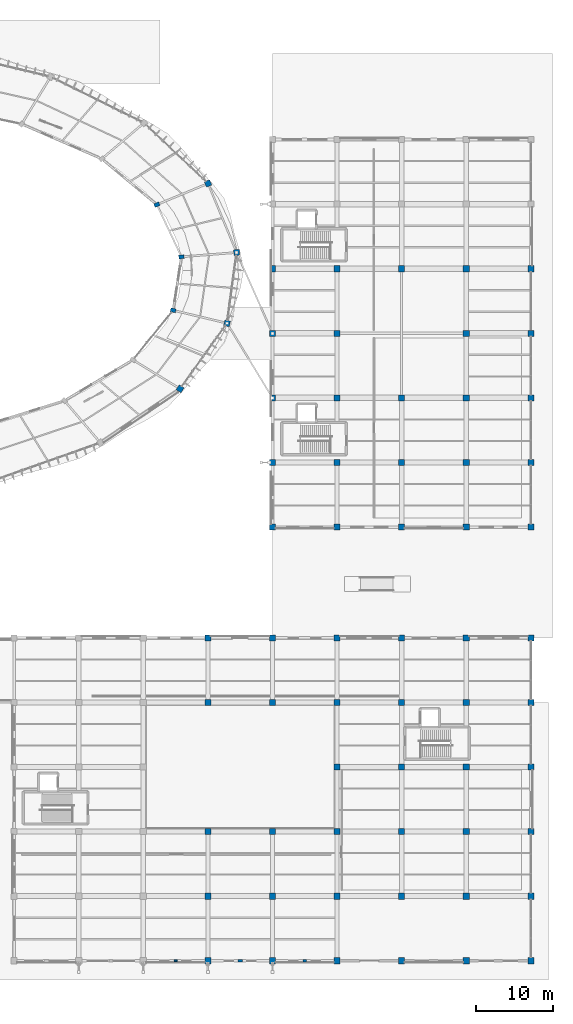
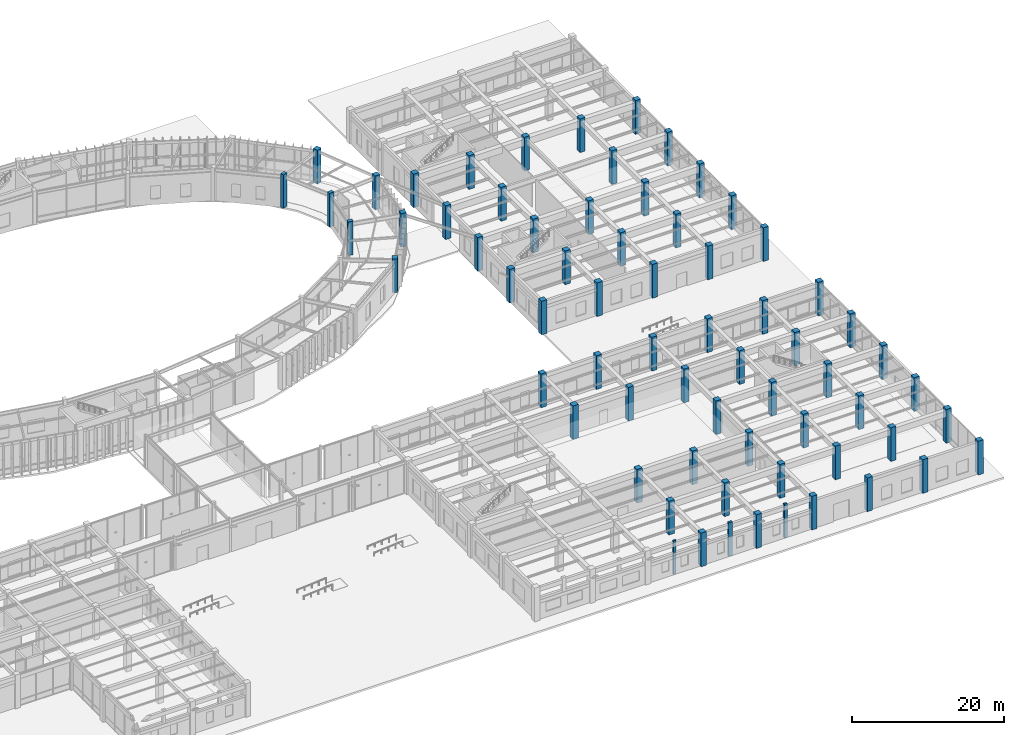
# One storey, part 6 of 157: 68 columns.
"""IFC4 building model written with IfcOpenShell, lengths in metres."""

from ifc_helpers import new_model, si_unit, direction, frame, origin, origin_2d, place, context, subcontext, project, spatial, rectangle, extrude, material, material_profile, profile_set, type_object, element, save


model = new_model("IFC4")

# Units and contexts
model_context = context("Model", 3, precision=1e-05, world=origin(), true_north=direction((0.0, 1.0)))
body_context = subcontext(model_context, "Body", "Model", "MODEL_VIEW")
ifc_project = project(units=[si_unit("LENGTHUNIT", "METRE"), si_unit("AREAUNIT", "SQUARE_METRE"), si_unit("VOLUMEUNIT", "CUBIC_METRE"), si_unit("PLANEANGLEUNIT", "RADIAN"), si_unit("MASSUNIT", "GRAM", prefix="KILO"), si_unit("THERMODYNAMICTEMPERATUREUNIT", "KELVIN"), si_unit("POWERUNIT", "WATT")], contexts=[model_context])

# Site, building, storey
site_placement = place(None, origin())
site = spatial("IfcSite", under=ifc_project, at=site_placement, CompositionType="ELEMENT")
building_placement = place(site_placement, origin())
building = spatial("IfcBuilding", under=site, at=building_placement, Name="Darbajah Civic Hall", CompositionType="ELEMENT")
storey_placement = place(building_placement, origin())
storey = spatial("IfcBuildingStorey", under=building, at=storey_placement, Name="L00", CompositionType="ELEMENT", Elevation=0.0)

# Columns
ifc_material_1 = material(Name="Concrete C45/55", Category="concrete")
ifc_material_profile_1 = material_profile(ifc_material_1, rectangle(XDim=0.39990234375, YDim=0.25, at=origin_2d()), Name="PILASTER 400x250")
ifc_profile_set_1 = profile_set([ifc_material_profile_1], Name="Concrete C45/55")
column_type_1 = type_object("IfcColumnType", Name="PILASTER 400x250", PredefinedType="PILASTER", material=ifc_profile_set_1)
column_1_placement = place(storey_placement, frame((132.0, 0.0, 0.0), z_axis=(0.0, 0.0, 1.0), x_axis=(1.0, 0.0, 0.0)))
element("IfcColumn", 1, at=column_1_placement, inside=storey, type_object=column_type_1, Name="L00 column PL-400", PredefinedType="PILASTER", context=body_context, shape_type="SweptSolid", body=[
    extrude(rectangle(XDim=0.39990234375, YDim=0.25, at=origin_2d()), origin(), (0.0, 0.0, 1.0), 5.39990234375),
])
ifc_material_profile_2 = material_profile(ifc_material_1, rectangle(XDim=0.449951171875, YDim=0.300048828125, at=origin_2d()), Name="PILASTER 450x300")
ifc_profile_set_2 = profile_set([ifc_material_profile_2], Name="Concrete C45/55")
column_type_2 = type_object("IfcColumnType", Name="PILASTER 450x300", PredefinedType="PILASTER", material=ifc_profile_set_2)
column_2_placement = place(storey_placement, frame((148.800048828125, 0.0, 0.0), z_axis=(0.0, 0.0, 1.0), x_axis=(1.0, 0.0, 0.0)))
element("IfcColumn", 2, at=column_2_placement, inside=storey, type_object=column_type_2, Name="L00 column PL-450", PredefinedType="PILASTER", context=body_context, shape_type="SweptSolid", body=[
    extrude(rectangle(XDim=0.449951171875, YDim=0.300048828125, at=origin_2d()), origin(), (0.0, 0.0, 1.0), 5.39990234375),
])
ifc_material_profile_3 = material_profile(ifc_material_1, rectangle(XDim=0.550048828125, YDim=0.35009765625, at=origin_2d()), Name="PILASTER 550x350")
ifc_profile_set_3 = profile_set([ifc_material_profile_3], Name="Concrete C45/55")
column_type_3 = type_object("IfcColumnType", Name="PILASTER 550x350", PredefinedType="PILASTER", material=ifc_profile_set_3)
column_3_placement = place(storey_placement, frame((140.39990234375, 0.0, 0.0), z_axis=(0.0, 0.0, 1.0), x_axis=(1.0, 0.0, 0.0)))
element("IfcColumn", 3, at=column_3_placement, inside=storey, type_object=column_type_3, Name="L00 column PL-550", PredefinedType="PILASTER", context=body_context, shape_type="SweptSolid", body=[
    extrude(rectangle(XDim=0.550048828125, YDim=0.35009765625, at=origin_2d()), origin(), (0.0, 0.0, 1.0), 5.39990234375),
])
ifc_material_profile_4 = material_profile(ifc_material_1, rectangle(XDim=0.699951171875, YDim=0.5, at=origin_2d()), Name="RC COL 700x500")
ifc_profile_set_4 = profile_set([ifc_material_profile_4], Name="Concrete C45/55")
column_type_4 = type_object("IfcColumnType", Name="RC COL 700x500", PredefinedType="COLUMN", material=ifc_profile_set_4)
for number, where, z_axis, x_axis, name in (
    (4, (132.764892578125, 91.549560546875, 0.0), (0.0, 0.0, 1.0), (0.996917333733, 0.078459095728, 0.0), "L00 column C-RC705"),
    (5, (129.56591796875, 98.333740234375, 0.0), (0.0, 0.0, 1.0), (0.923879532511, 0.382683432365, 0.0), "L00 column C-RC705"),
    (6, (131.689697265625, 84.59423828125, 0.0), (0.0, 0.0, 1.0), (0.972369920398, -0.233445363856, 0.0), "L00 column C-RC705"),
):
    element("IfcColumn", number, at=place(storey_placement, frame(where, z_axis=z_axis, x_axis=x_axis)), inside=storey, type_object=column_type_4, Name=name, PredefinedType="COLUMN", context=body_context, shape_type="SweptSolid", body=[
        extrude(rectangle(XDim=0.699951171875, YDim=0.5, at=origin_2d()), origin(), (0.0, 0.0, 1.0), 5.39990234375),
    ])
ifc_material_2 = material(Name="Concrete C50/60", Category="concrete")
ifc_material_profile_5 = material_profile(ifc_material_2, rectangle(XDim=0.75, YDim=0.75, at=origin_2d()), Name="RC COL 750x750")
ifc_profile_set_5 = profile_set([ifc_material_profile_5], Name="Concrete C50/60")
column_type_5 = type_object("IfcColumnType", Name="RC COL 750x750", PredefinedType="COLUMN", material=ifc_profile_set_5)
for number, where, z_axis, x_axis, name in (
    (7, (139.94287109375, 92.114501953125, 0.0), (0.0, 0.0, 1.0), (0.996917333733, 0.078459095728, 0.0), "L00 column C-RC750"),
    (8, (136.218017578125, 101.089111328125, 0.0), (0.0, 0.0, 1.0), (0.923879532511, 0.382683432365, 0.0), "L00 column C-RC750"),
    (9, (132.584716796875, 74.38623046875, 0.0), (0.0, 0.0, 1.0), (0.852640164354, -0.522498564716, 0.0), "L00 column C-RC750"),
    (10, (138.69091796875, 82.913330078125, 0.0), (0.0, 0.0, 1.0), (0.972369920398, -0.233445363856, 0.0), "L00 column C-RC750"),
):
    element("IfcColumn", number, at=place(storey_placement, frame(where, z_axis=z_axis, x_axis=x_axis)), inside=storey, type_object=column_type_5, Name=name, PredefinedType="COLUMN", context=body_context, shape_type="SweptSolid", body=[
        extrude(rectangle(XDim=0.75, YDim=0.75, at=origin_2d()), origin(), (0.0, 0.0, 1.0), 5.39990234375),
    ])
ifc_material_profile_6 = material_profile(ifc_material_2, rectangle(XDim=0.800048828125, YDim=0.800048828125, at=origin_2d()), Name="RC COL 800x800")
ifc_profile_set_6 = profile_set([ifc_material_profile_6], Name="Concrete C50/60")
column_type_6 = type_object("IfcColumnType", Name="RC COL 800x800", PredefinedType="COLUMN", material=ifc_profile_set_6)
for number, where, z_axis, x_axis, name in (
    (11, (136.199951171875, 0.0, 0.0), (0.0, 0.0, 1.0), (1.0, 0.0, 0.0), "L00 column C-RC800"),
    (12, (136.199951171875, 8.39990234375, 0.0), (0.0, 0.0, 1.0), (1.0, 0.0, 0.0), "L00 column C-RC800"),
    (13, (136.199951171875, 16.800048828125, 0.0), (0.0, 0.0, 1.0), (1.0, 0.0, 0.0), "L00 column C-RC800"),
    (14, (136.199951171875, 33.60009765625, 0.0), (0.0, 0.0, 1.0), (1.0, 0.0, 0.0), "L00 column C-RC800"),
    (15, (136.199951171875, 42.0, 0.0), (0.0, 0.0, 1.0), (1.0, 0.0, 0.0), "L00 column C-RC800"),
    (16, (144.60009765625, 0.0, 0.0), (0.0, 0.0, 1.0), (1.0, 0.0, 0.0), "L00 column C-RC800"),
    (17, (144.60009765625, 8.39990234375, 0.0), (0.0, 0.0, 1.0), (1.0, 0.0, 0.0), "L00 column C-RC800"),
    (18, (144.60009765625, 16.800048828125, 0.0), (0.0, 0.0, 1.0), (1.0, 0.0, 0.0), "L00 column C-RC800"),
    (19, (144.60009765625, 33.60009765625, 0.0), (0.0, 0.0, 1.0), (1.0, 0.0, 0.0), "L00 column C-RC800"),
    (20, (144.60009765625, 42.0, 0.0), (0.0, 0.0, 1.0), (1.0, 0.0, 0.0), "L00 column C-RC800"),
    (21, (153.0, 0.0, 0.0), (0.0, 0.0, 1.0), (1.0, 0.0, 0.0), "L00 column C-RC800"),
    (22, (153.0, 8.39990234375, 0.0), (0.0, 0.0, 1.0), (1.0, 0.0, 0.0), "L00 column C-RC800"),
    (23, (153.0, 16.800048828125, 0.0), (0.0, 0.0, 1.0), (1.0, 0.0, 0.0), "L00 column C-RC800"),
    (24, (153.0, 25.199951171875, 0.0), (0.0, 0.0, 1.0), (1.0, 0.0, 0.0), "L00 column C-RC800"),
    (25, (153.0, 33.60009765625, 0.0), (0.0, 0.0, 1.0), (1.0, 0.0, 0.0), "L00 column C-RC800"),
    (26, (153.0, 42.0, 0.0), (0.0, 0.0, 1.0), (1.0, 0.0, 0.0), "L00 column C-RC800"),
    (27, (161.39990234375, 0.0, 0.0), (0.0, 0.0, 1.0), (1.0, 0.0, 0.0), "L00 column C-RC800"),
    (28, (161.39990234375, 8.39990234375, 0.0), (0.0, 0.0, 1.0), (1.0, 0.0, 0.0), "L00 column C-RC800"),
    (29, (161.39990234375, 16.800048828125, 0.0), (0.0, 0.0, 1.0), (1.0, 0.0, 0.0), "L00 column C-RC800"),
    (30, (161.39990234375, 25.199951171875, 0.0), (0.0, 0.0, 1.0), (1.0, 0.0, 0.0), "L00 column C-RC800"),
    (31, (161.39990234375, 33.60009765625, 0.0), (0.0, 0.0, 1.0), (1.0, 0.0, 0.0), "L00 column C-RC800"),
    (32, (161.39990234375, 42.0, 0.0), (0.0, 0.0, 1.0), (1.0, 0.0, 0.0), "L00 column C-RC800"),
    (33, (169.800048828125, 0.0, 0.0), (0.0, 0.0, 1.0), (1.0, 0.0, 0.0), "L00 column C-RC800"),
    (34, (169.800048828125, 8.39990234375, 0.0), (0.0, 0.0, 1.0), (1.0, 0.0, 0.0), "L00 column C-RC800"),
    (35, (169.800048828125, 16.800048828125, 0.0), (0.0, 0.0, 1.0), (1.0, 0.0, 0.0), "L00 column C-RC800"),
    (36, (169.800048828125, 25.199951171875, 0.0), (0.0, 0.0, 1.0), (1.0, 0.0, 0.0), "L00 column C-RC800"),
    (37, (169.800048828125, 33.60009765625, 0.0), (0.0, 0.0, 1.0), (1.0, 0.0, 0.0), "L00 column C-RC800"),
    (38, (169.800048828125, 42.0, 0.0), (0.0, 0.0, 1.0), (1.0, 0.0, 0.0), "L00 column C-RC800"),
    (39, (178.199951171875, 0.0, 0.0), (0.0, 0.0, 1.0), (1.0, 0.0, 0.0), "L00 column C-RC800"),
    (40, (178.199951171875, 8.39990234375, 0.0), (0.0, 0.0, 1.0), (1.0, 0.0, 0.0), "L00 column C-RC800"),
    (41, (178.199951171875, 16.800048828125, 0.0), (0.0, 0.0, 1.0), (1.0, 0.0, 0.0), "L00 column C-RC800"),
    (42, (178.199951171875, 25.199951171875, 0.0), (0.0, 0.0, 1.0), (1.0, 0.0, 0.0), "L00 column C-RC800"),
    (43, (178.199951171875, 33.60009765625, 0.0), (0.0, 0.0, 1.0), (1.0, 0.0, 0.0), "L00 column C-RC800"),
    (44, (178.199951171875, 42.0, 0.0), (0.0, 0.0, 1.0), (1.0, 0.0, 0.0), "L00 column C-RC800"),
    (45, (144.60009765625, 56.39990234375, 0.0), (0.0, 0.0, 1.0), (1.0, 0.0, 0.0), "L00 column C-RC800"),
    (46, (144.60009765625, 64.800048828125, 0.0), (0.0, 0.0, 1.0), (1.0, 0.0, 0.0), "L00 column C-RC800"),
    (47, (144.60009765625, 73.199951171875, 0.0), (0.0, 0.0, 1.0), (1.0, 0.0, 0.0), "L00 column C-RC800"),
    (48, (144.60009765625, 81.60009765625, 0.0), (0.0, 0.0, 1.0), (1.0, 0.0, 0.0), "L00 column C-RC800"),
    (49, (144.60009765625, 90.0, 0.0), (0.0, 0.0, 1.0), (1.0, 0.0, 0.0), "L00 column C-RC800"),
    (50, (153.0, 56.39990234375, 0.0), (0.0, 0.0, 1.0), (1.0, 0.0, 0.0), "L00 column C-RC800"),
    (51, (153.0, 64.800048828125, 0.0), (0.0, 0.0, 1.0), (1.0, 0.0, 0.0), "L00 column C-RC800"),
    (52, (153.0, 73.199951171875, 0.0), (0.0, 0.0, 1.0), (1.0, 0.0, 0.0), "L00 column C-RC800"),
    (53, (153.0, 81.60009765625, 0.0), (0.0, 0.0, 1.0), (1.0, 0.0, 0.0), "L00 column C-RC800"),
    (54, (153.0, 90.0, 0.0), (0.0, 0.0, 1.0), (1.0, 0.0, 0.0), "L00 column C-RC800"),
    (55, (161.39990234375, 56.39990234375, 0.0), (0.0, 0.0, 1.0), (1.0, 0.0, 0.0), "L00 column C-RC800"),
    (56, (161.39990234375, 64.800048828125, 0.0), (0.0, 0.0, 1.0), (1.0, 0.0, 0.0), "L00 column C-RC800"),
    (57, (161.39990234375, 73.199951171875, 0.0), (0.0, 0.0, 1.0), (1.0, 0.0, 0.0), "L00 column C-RC800"),
    (58, (161.39990234375, 90.0, 0.0), (0.0, 0.0, 1.0), (1.0, 0.0, 0.0), "L00 column C-RC800"),
    (59, (169.800048828125, 56.39990234375, 0.0), (0.0, 0.0, 1.0), (1.0, 0.0, 0.0), "L00 column C-RC800"),
    (60, (169.800048828125, 64.800048828125, 0.0), (0.0, 0.0, 1.0), (1.0, 0.0, 0.0), "L00 column C-RC800"),
    (61, (169.800048828125, 73.199951171875, 0.0), (0.0, 0.0, 1.0), (1.0, 0.0, 0.0), "L00 column C-RC800"),
    (62, (169.800048828125, 81.60009765625, 0.0), (0.0, 0.0, 1.0), (1.0, 0.0, 0.0), "L00 column C-RC800"),
    (63, (169.800048828125, 90.0, 0.0), (0.0, 0.0, 1.0), (1.0, 0.0, 0.0), "L00 column C-RC800"),
    (64, (178.199951171875, 56.39990234375, 0.0), (0.0, 0.0, 1.0), (1.0, 0.0, 0.0), "L00 column C-RC800"),
    (65, (178.199951171875, 64.800048828125, 0.0), (0.0, 0.0, 1.0), (1.0, 0.0, 0.0), "L00 column C-RC800"),
    (66, (178.199951171875, 73.199951171875, 0.0), (0.0, 0.0, 1.0), (1.0, 0.0, 0.0), "L00 column C-RC800"),
    (67, (178.199951171875, 81.60009765625, 0.0), (0.0, 0.0, 1.0), (1.0, 0.0, 0.0), "L00 column C-RC800"),
    (68, (178.199951171875, 90.0, 0.0), (0.0, 0.0, 1.0), (1.0, 0.0, 0.0), "L00 column C-RC800"),
):
    element("IfcColumn", number, at=place(storey_placement, frame(where, z_axis=z_axis, x_axis=x_axis)), inside=storey, type_object=column_type_6, Name=name, PredefinedType="COLUMN", context=body_context, shape_type="SweptSolid", body=[
        extrude(rectangle(XDim=0.800048828125, YDim=0.800048828125, at=origin_2d()), origin(), (0.0, 0.0, 1.0), 5.39990234375),
    ])

save(model, "model.ifc")
